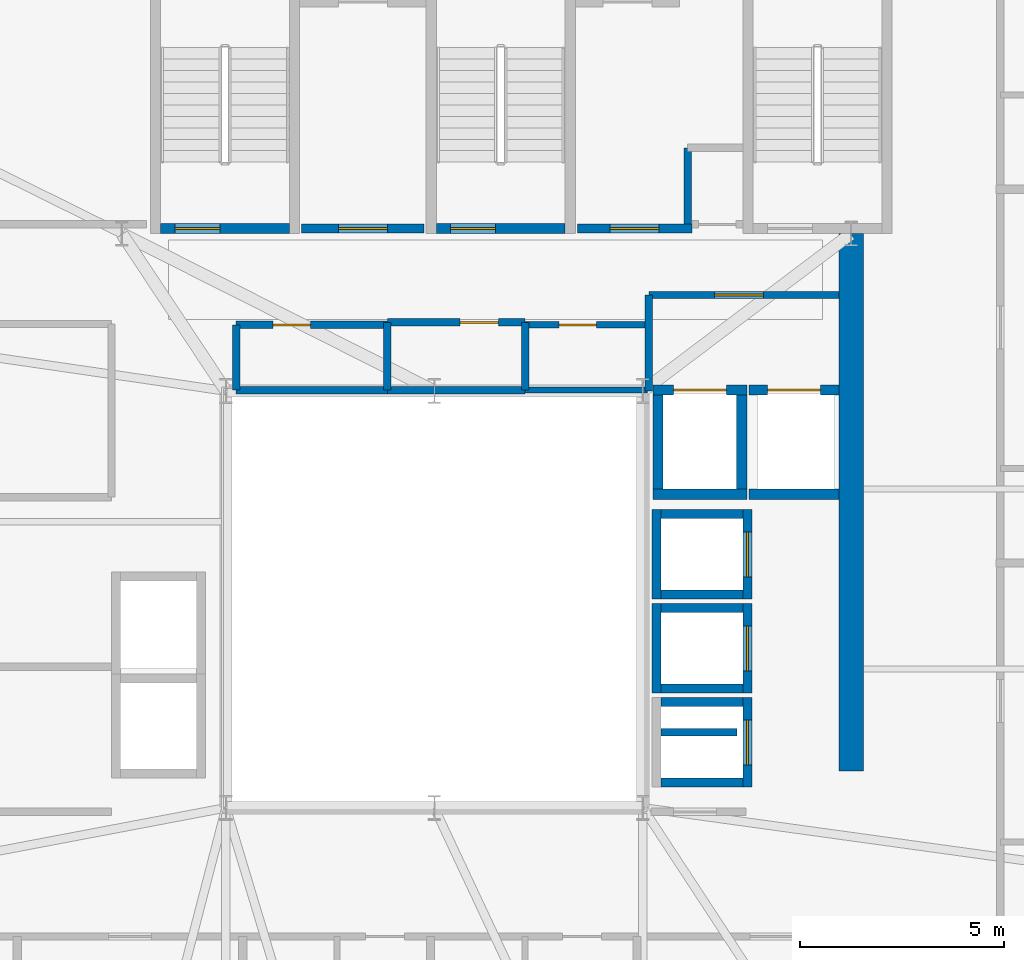
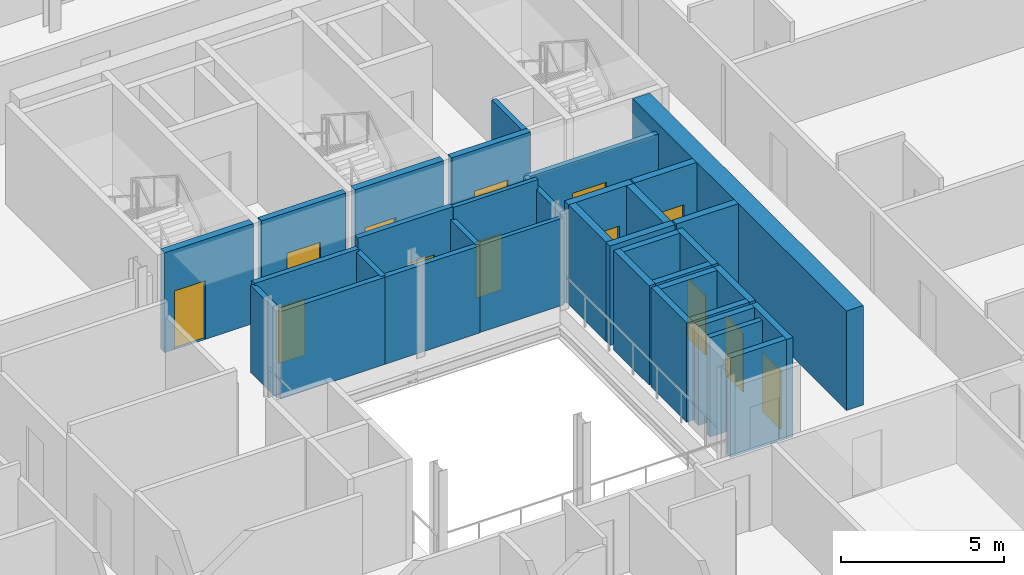
# One storey, part 9 of 15: 35 walls, 13 doors, 13 openings.
"""IFC4 building model written with IfcOpenShell, lengths in metres."""

from ifc_helpers import new_model, si_unit, direction, frame, frame_2d, origin, place, context, subcontext, project, spatial, rectangle, extrude, source, transform, mapped, material, layer, layer_set, type_object, element, fill, save


model = new_model("IFC4")

# Units and contexts
model_context = context("Model", 3, precision=1e-05, world=origin(), true_north=direction((0.0, 1.0)))
body_context = subcontext(model_context, "Body", "Model", "MODEL_VIEW")
ifc_project = project(units=[si_unit("LENGTHUNIT", "METRE"), si_unit("AREAUNIT", "SQUARE_METRE"), si_unit("VOLUMEUNIT", "CUBIC_METRE"), si_unit("PLANEANGLEUNIT", "RADIAN"), si_unit("MASSUNIT", "GRAM", prefix="KILO")], contexts=[model_context])

# Site, building, storey
site_placement = place(None, origin())
site = spatial("IfcSite", under=ifc_project, at=site_placement, CompositionType="ELEMENT")
building_placement = place(site_placement, origin())
building = spatial("IfcBuilding", under=site, at=building_placement, Name="Vardaveli Station Tower", CompositionType="ELEMENT")
storey_placement = place(building_placement, frame((0.0, 0.0, 242.699951171875)))
storey = spatial("IfcBuildingStorey", under=building, at=storey_placement, Name="L62", CompositionType="ELEMENT", Elevation=242.699951171875)

# Wall
ifc_material_1 = material(Name="Concrete C50/60", Category="concrete")
ifc_layer_1 = layer(ifc_material_1, 0.60009765625, Name="Concrete C50/60")
ifc_layer_set_1 = layer_set([ifc_layer_1], Name="Concrete C50/60")
wall_type_1 = type_object("IfcWallType", Name="WAL-CORE-600", PredefinedType="SHEAR", material=ifc_layer_set_1)
shared_shape_1 = source(origin(), body_context, "Body", "SweptSolid", [
    extrude(rectangle(XDim=13.14990234375, YDim=0.60009765625, at=frame_2d((6.574951171875, 0.0))), origin(), (0.0, 0.0, 1.0), 3.72998046875),
])
wall_1_placement = place(storey_placement, frame((46.5, 17.5, 0.0), z_axis=(0.0, 0.0, 1.0), x_axis=(0.0, 1.0, 0.0)))
element("IfcWall", 1, at=wall_1_placement, inside=storey, type_object=wall_type_1, Name="SW-L62-EAST2", PredefinedType="SHEAR", context=body_context, shape_type="MappedRepresentation", body=[
    mapped(shared_shape_1, transform((0.0, 0.0, 0.0), scale=1.0)),
])

# Wall, opening, door
ifc_material_2 = material(Name="Concrete C40/50", Category="concrete")
ifc_layer_2 = layer(ifc_material_2, 0.25, Name="Concrete C40/50")
ifc_layer_set_2 = layer_set([ifc_layer_2], Name="Concrete C40/50")
wall_type_2 = type_object("IfcWallType", Name="WAL-SHAFT-250", PredefinedType="SOLIDWALL", material=ifc_layer_set_2)
shared_shape_2 = source(origin(), body_context, "Body", "SweptSolid", [
    extrude(rectangle(XDim=3.14990234375, YDim=0.25, at=frame_2d((1.574951171875, 0.0))), origin(), (0.0, 0.0, 1.0), 3.75),
])
wall_2_placement = place(storey_placement, frame((29.60009765625, 30.77490234375, 0.0), z_axis=(0.0, 0.0, 1.0), x_axis=(1.0, 0.0, 0.0)))
wall_2 = element("IfcWall", 2, at=wall_2_placement, inside=storey, type_object=wall_type_2, Name="W-L62-ST-1S", PredefinedType="SOLIDWALL", context=body_context, shape_type="MappedRepresentation", body=[
    mapped(shared_shape_2, transform((0.0, 0.0, 0.0), scale=1.0)),
])
shared_shape_3 = source(origin(), body_context, "Body", "SweptSolid", [
    extrude(rectangle(XDim=1.10009765625, YDim=2.199951171875, at=frame_2d((0.550048828125, 1.10009765625))), frame((0.0, 0.135009765625, 0.0), z_axis=(0.0, -1.0, 0.0), x_axis=(1.0, 0.0, 0.0)), (0.0, 0.0, 1.0), 0.27001953125),
])
opening_1_placement = place(wall_2_placement, frame((0.35009765625, 0.0, 0.0)))
opening_1 = element("IfcOpeningElement", 3, at=opening_1_placement, cuts=wall_2, Name="Opening D-04", PredefinedType="OPENING", context=body_context, shape_type="MappedRepresentation", body=[
    mapped(shared_shape_3, transform((0.0, 0.0, 0.0), scale=1.0)),
])
ifc_material_3 = material(Name="Steel smokeproof fire doorset", Category="steel")
door_type_1 = type_object("IfcDoorType", Name="DR-ST-1100x2200", OperationType="NOTDEFINED", PredefinedType="DOOR", material=ifc_material_3)
shared_shape_4 = source(origin(), body_context, "Body", "SweptSolid", [
    extrude(rectangle(XDim=1.10009765625, YDim=2.199951171875, at=frame_2d((0.550048828125, 1.10009765625))), frame((0.0, 0.02490234375, 0.0), z_axis=(0.0, -1.0, 0.0), x_axis=(1.0, 0.0, 0.0)), (0.0, 0.0, 1.0), 0.050048828125),
])
door_1_placement = place(opening_1_placement, origin())
door_1 = element("IfcDoor", 4, at=door_1_placement, inside=storey, type_object=door_type_1, Name="DST-1-L62", OperationType="SINGLE_SWING_LEFT", OverallHeight=2.199951171875, OverallWidth=1.10009765625, PredefinedType="DOOR", context=body_context, shape_type="MappedRepresentation", body=[
    mapped(shared_shape_4, transform((0.0, 0.0, 0.0), scale=1.0)),
])
fill(opening_1, door_1)

wall_3_placement = place(storey_placement, frame((36.35009765625, 30.77490234375, 0.0), z_axis=(0.0, 0.0, 1.0), x_axis=(1.0, 0.0, 0.0)))
wall_3 = element("IfcWall", 5, at=wall_3_placement, inside=storey, type_object=wall_type_2, Name="W-L62-ST-2S", PredefinedType="SOLIDWALL", context=body_context, shape_type="MappedRepresentation", body=[
    mapped(shared_shape_2, transform((0.0, 0.0, 0.0), scale=1.0)),
])
opening_2_placement = place(wall_3_placement, frame((0.35009765625, 0.0, 0.0)))
opening_2 = element("IfcOpeningElement", 6, at=opening_2_placement, cuts=wall_3, Name="Opening D-04", PredefinedType="OPENING", context=body_context, shape_type="MappedRepresentation", body=[
    mapped(shared_shape_3, transform((0.0, 0.0, 0.0), scale=1.0)),
])
door_2_placement = place(opening_2_placement, origin())
door_2 = element("IfcDoor", 7, at=door_2_placement, inside=storey, type_object=door_type_1, Name="DST-2-L62", OperationType="SINGLE_SWING_LEFT", OverallHeight=2.199951171875, OverallWidth=1.10009765625, PredefinedType="DOOR", context=body_context, shape_type="MappedRepresentation", body=[
    mapped(shared_shape_4, transform((0.0, 0.0, 0.0), scale=1.0)),
])
fill(opening_2, door_2)

ifc_layer_3 = layer(ifc_material_2, 0.219970703125, Name="Concrete C40/50")
ifc_layer_set_3 = layer_set([ifc_layer_3], Name="Concrete C40/50")
wall_type_3 = type_object("IfcWallType", Name="WAL-FFLOBBY-220", PredefinedType="SOLIDWALL", material=ifc_layer_set_3)
shared_shape_5 = source(origin(), body_context, "Body", "SweptSolid", [
    extrude(rectangle(XDim=3.0, YDim=0.219970703125, at=frame_2d((1.5, 0.0))), origin(), (0.0, 0.0, 1.0), 3.72998046875),
])
wall_4_placement = place(storey_placement, frame((33.050048828125, 30.780029296875, 0.0), z_axis=(0.0, 0.0, 1.0), x_axis=(1.0, 0.0, 0.0)))
wall_4 = element("IfcWall", 8, at=wall_4_placement, inside=storey, type_object=wall_type_3, Name="W-L62-FFL1S", PredefinedType="SOLIDWALL", context=body_context, shape_type="MappedRepresentation", body=[
    mapped(shared_shape_5, transform((0.0, 0.0, 0.0), scale=1.0)),
])
shared_shape_6 = source(origin(), body_context, "Body", "SweptSolid", [
    extrude(rectangle(XDim=1.199951171875, YDim=2.199951171875, at=frame_2d((0.60009765625, 1.10009765625))), frame((0.0, 0.1201171875, 0.0), z_axis=(0.0, -1.0, 0.0), x_axis=(1.0, 0.0, 0.0)), (0.0, 0.0, 1.0), 0.239990234375),
])
opening_3_placement = place(wall_4_placement, frame((0.89990234375, 0.0, 0.0)))
opening_3 = element("IfcOpeningElement", 9, at=opening_3_placement, cuts=wall_4, Name="Opening D-03", PredefinedType="OPENING", context=body_context, shape_type="MappedRepresentation", body=[
    mapped(shared_shape_6, transform((0.0, 0.0, 0.0), scale=1.0)),
])
door_type_2 = type_object("IfcDoorType", Name="DR-FFL-1200x2200", OperationType="NOTDEFINED", PredefinedType="DOOR", material=ifc_material_3)
shared_shape_7 = source(origin(), body_context, "Body", "SweptSolid", [
    extrude(rectangle(XDim=1.199951171875, YDim=2.199951171875, at=frame_2d((0.60009765625, 1.10009765625))), frame((0.0, 0.02490234375, 0.0), z_axis=(0.0, -1.0, 0.0), x_axis=(1.0, 0.0, 0.0)), (0.0, 0.0, 1.0), 0.050048828125),
])
door_3_placement = place(opening_3_placement, origin())
door_3 = element("IfcDoor", 10, at=door_3_placement, inside=storey, type_object=door_type_2, Name="DFFL1-L62", OperationType="SINGLE_SWING_LEFT", OverallHeight=2.199951171875, OverallWidth=1.199951171875, PredefinedType="DOOR", context=body_context, shape_type="MappedRepresentation", body=[
    mapped(shared_shape_7, transform((0.0, 0.0, 0.0), scale=1.0)),
])
fill(opening_3, door_3)

shared_shape_8 = source(origin(), body_context, "Body", "SweptSolid", [
    extrude(rectangle(XDim=2.800048828125, YDim=0.219970703125, at=frame_2d((1.39990234375, 0.0))), origin(), (0.0, 0.0, 1.0), 3.72998046875),
])
wall_5_placement = place(storey_placement, frame((39.800048828125, 30.780029296875, 0.0), z_axis=(0.0, 0.0, 1.0), x_axis=(1.0, 0.0, 0.0)))
wall_5 = element("IfcWall", 11, at=wall_5_placement, inside=storey, type_object=wall_type_3, Name="W-L62-FFL2S", PredefinedType="SOLIDWALL", context=body_context, shape_type="MappedRepresentation", body=[
    mapped(shared_shape_8, transform((0.0, 0.0, 0.0), scale=1.0)),
])
opening_4_placement = place(wall_5_placement, frame((0.800048828125, 0.0, 0.0)))
opening_4 = element("IfcOpeningElement", 12, at=opening_4_placement, cuts=wall_5, Name="Opening D-03", PredefinedType="OPENING", context=body_context, shape_type="MappedRepresentation", body=[
    mapped(shared_shape_6, transform((0.0, 0.0, 0.0), scale=1.0)),
])
door_4_placement = place(opening_4_placement, origin())
door_4 = element("IfcDoor", 13, at=door_4_placement, inside=storey, type_object=door_type_2, Name="DFFL2-L62", OperationType="SINGLE_SWING_RIGHT", OverallHeight=2.199951171875, OverallWidth=1.199951171875, PredefinedType="DOOR", context=body_context, shape_type="MappedRepresentation", body=[
    mapped(shared_shape_7, transform((0.0, 0.0, 0.0), scale=1.0)),
])
fill(opening_4, door_4)

# Walls
shared_shape_9 = source(origin(), body_context, "Body", "SweptSolid", [
    extrude(rectangle(XDim=2.0, YDim=0.219970703125, at=frame_2d((1.0, 0.0))), origin(), (0.0, 0.0, 1.0), 3.72998046875),
])
for number, where, z_axis, x_axis, name in (
    (14, (41.85009765625, 21.81494140625, 0.0), (0.0, 0.0, 1.0), (1.0, 0.0, 0.0), "SHW-HL3-01-L62-S"),
    (15, (41.85009765625, 23.784912109375, 0.0), (0.0, 0.0, 1.0), (1.0, 0.0, 0.0), "SHW-HL3-01-L62-N"),
    (16, (41.85009765625, 19.514892578125, 0.0), (0.0, 0.0, 1.0), (1.0, 0.0, 0.0), "SHW-HL3-02-L62-S"),
    (17, (41.85009765625, 21.485107421875, 0.0), (0.0, 0.0, 1.0), (1.0, 0.0, 0.0), "SHW-HL3-02-L62-N"),
    (18, (41.85009765625, 17.215087890625, 0.0), (0.0, 0.0, 1.0), (1.0, 0.0, 0.0), "SHW-HL3-03-L62-S"),
    (19, (41.85009765625, 19.18505859375, 0.0), (0.0, 0.0, 1.0), (1.0, 0.0, 0.0), "SHW-HL3-03-L62-N"),
):
    element("IfcWall", number, at=place(storey_placement, frame(where, z_axis=z_axis, x_axis=x_axis)), inside=storey, type_object=wall_type_3, Name=name, PredefinedType="SOLIDWALL", context=body_context, shape_type="MappedRepresentation", body=[
        mapped(shared_shape_9, transform((0.0, 0.0, 0.0), scale=1.0)),
    ])
shared_shape_10 = source(origin(), body_context, "Body", "SweptSolid", [
    extrude(rectangle(XDim=2.18994140625, YDim=0.219970703125, at=frame_2d((1.094970703125, 0.0))), origin(), (0.0, 0.0, 1.0), 3.72998046875),
])
wall_6_placement = place(storey_placement, frame((41.739990234375, 21.705078125, 0.0), z_axis=(0.0, 0.0, 1.0), x_axis=(0.0, 1.0, 0.0)))
element("IfcWall", 20, at=wall_6_placement, inside=storey, type_object=wall_type_3, Name="SHW-HL3-01-L62-W", PredefinedType="SOLIDWALL", context=body_context, shape_type="MappedRepresentation", body=[
    mapped(shared_shape_10, transform((0.0, 0.0, 0.0), scale=1.0)),
])

# Wall, opening, door
wall_7_placement = place(storey_placement, frame((43.9599609375, 21.705078125, 0.0), z_axis=(0.0, 0.0, 1.0), x_axis=(0.0, 1.0, 0.0)))
wall_7 = element("IfcWall", 21, at=wall_7_placement, inside=storey, type_object=wall_type_3, Name="SHW-HL3-01-L62-E", PredefinedType="SOLIDWALL", context=body_context, shape_type="MappedRepresentation", body=[
    mapped(shared_shape_10, transform((0.0, 0.0, 0.0), scale=1.0)),
])
shared_shape_11 = source(origin(), body_context, "Body", "SweptSolid", [
    extrude(rectangle(XDim=1.10009765625, YDim=2.199951171875, at=frame_2d((0.550048828125, 1.10009765625))), frame((0.0, 0.1201171875, 0.0), z_axis=(0.0, -1.0, 0.0), x_axis=(1.0, 0.0, 0.0)), (0.0, 0.0, 1.0), 0.239990234375),
])
opening_5_placement = place(wall_7_placement, frame((0.544921875, 0.0, 0.0)))
opening_5 = element("IfcOpeningElement", 22, at=opening_5_placement, cuts=wall_7, Name="Opening LD-01", PredefinedType="OPENING", context=body_context, shape_type="MappedRepresentation", body=[
    mapped(shared_shape_11, transform((0.0, 0.0, 0.0), scale=1.0)),
])
ifc_material_4 = material(Name="Brushed stainless steel", Category="steel")
door_type_3 = type_object("IfcDoorType", Name="DR-LD-1100x2200", OperationType="DOUBLE_DOOR_SLIDING", PredefinedType="DOOR", material=ifc_material_4)
door_5_placement = place(opening_5_placement, origin())
door_5 = element("IfcDoor", 23, at=door_5_placement, inside=storey, type_object=door_type_3, Name="LD-HL3-01-L62", OperationType="DOUBLE_DOOR_SLIDING", OverallHeight=2.199951171875, OverallWidth=1.10009765625, PredefinedType="DOOR", context=body_context, shape_type="MappedRepresentation", body=[
    mapped(shared_shape_4, transform((0.0, 0.0, 0.0), scale=1.0)),
])
fill(opening_5, door_5)

# Wall
wall_8_placement = place(storey_placement, frame((41.739990234375, 19.405029296875, 0.0), z_axis=(0.0, 0.0, 1.0), x_axis=(0.0, 1.0, 0.0)))
element("IfcWall", 24, at=wall_8_placement, inside=storey, type_object=wall_type_3, Name="SHW-HL3-02-L62-W", PredefinedType="SOLIDWALL", context=body_context, shape_type="MappedRepresentation", body=[
    mapped(shared_shape_10, transform((0.0, 0.0, 0.0), scale=1.0)),
])

# Wall, opening, door
wall_9_placement = place(storey_placement, frame((43.9599609375, 19.405029296875, 0.0), z_axis=(0.0, 0.0, 1.0), x_axis=(0.0, 1.0, 0.0)))
wall_9 = element("IfcWall", 25, at=wall_9_placement, inside=storey, type_object=wall_type_3, Name="SHW-HL3-02-L62-E", PredefinedType="SOLIDWALL", context=body_context, shape_type="MappedRepresentation", body=[
    mapped(shared_shape_10, transform((0.0, 0.0, 0.0), scale=1.0)),
])
opening_6_placement = place(wall_9_placement, frame((0.544921875, 0.0, 0.0)))
opening_6 = element("IfcOpeningElement", 26, at=opening_6_placement, cuts=wall_9, Name="Opening LD-01", PredefinedType="OPENING", context=body_context, shape_type="MappedRepresentation", body=[
    mapped(shared_shape_11, transform((0.0, 0.0, 0.0), scale=1.0)),
])
door_6_placement = place(opening_6_placement, origin())
door_6 = element("IfcDoor", 27, at=door_6_placement, inside=storey, type_object=door_type_3, Name="LD-HL3-02-L62", OperationType="DOUBLE_DOOR_SLIDING", OverallHeight=2.199951171875, OverallWidth=1.10009765625, PredefinedType="DOOR", context=body_context, shape_type="MappedRepresentation", body=[
    mapped(shared_shape_4, transform((0.0, 0.0, 0.0), scale=1.0)),
])
fill(opening_6, door_6)

wall_10_placement = place(storey_placement, frame((43.9599609375, 17.10498046875, 0.0), z_axis=(0.0, 0.0, 1.0), x_axis=(0.0, 1.0, 0.0)))
wall_10 = element("IfcWall", 28, at=wall_10_placement, inside=storey, type_object=wall_type_3, Name="SHW-HL3-03-L62-E", PredefinedType="SOLIDWALL", context=body_context, shape_type="MappedRepresentation", body=[
    mapped(shared_shape_10, transform((0.0, 0.0, 0.0), scale=1.0)),
])
opening_7_placement = place(wall_10_placement, frame((0.544921875, 0.0, 0.0)))
opening_7 = element("IfcOpeningElement", 29, at=opening_7_placement, cuts=wall_10, Name="Opening LD-01", PredefinedType="OPENING", context=body_context, shape_type="MappedRepresentation", body=[
    mapped(shared_shape_11, transform((0.0, 0.0, 0.0), scale=1.0)),
])
door_7_placement = place(opening_7_placement, origin())
door_7 = element("IfcDoor", 30, at=door_7_placement, inside=storey, type_object=door_type_3, Name="LD-HL3-03-L62", OperationType="DOUBLE_DOOR_SLIDING", OverallHeight=2.199951171875, OverallWidth=1.10009765625, PredefinedType="DOOR", context=body_context, shape_type="MappedRepresentation", body=[
    mapped(shared_shape_4, transform((0.0, 0.0, 0.0), scale=1.0)),
])
fill(opening_7, door_7)

# Wall
shared_shape_12 = source(origin(), body_context, "Body", "SweptSolid", [
    extrude(rectangle(XDim=2.300048828125, YDim=0.25, at=frame_2d((1.14990234375, 0.0))), origin(), (0.0, 0.0, 1.0), 3.72998046875),
])
wall_11_placement = place(storey_placement, frame((41.64990234375, 24.27490234375, 0.0), z_axis=(0.0, 0.0, 1.0), x_axis=(1.0, 0.0, 0.0)))
element("IfcWall", 31, at=wall_11_placement, inside=storey, type_object=wall_type_2, Name="SHW-SRV-01-L62-S", PredefinedType="SOLIDWALL", context=body_context, shape_type="MappedRepresentation", body=[
    mapped(shared_shape_12, transform((0.0, 0.0, 0.0), scale=1.0)),
])

# Wall, opening, door
wall_12_placement = place(storey_placement, frame((41.64990234375, 26.824951171875, 0.0), z_axis=(0.0, 0.0, 1.0), x_axis=(1.0, 0.0, 0.0)))
wall_12 = element("IfcWall", 32, at=wall_12_placement, inside=storey, type_object=wall_type_2, Name="SHW-SRV-01-L62-N", PredefinedType="SOLIDWALL", context=body_context, shape_type="MappedRepresentation", body=[
    mapped(shared_shape_12, transform((0.0, 0.0, 0.0), scale=1.0)),
])
shared_shape_13 = source(origin(), body_context, "Body", "SweptSolid", [
    extrude(rectangle(XDim=1.300048828125, YDim=2.300048828125, at=frame_2d((0.64990234375, 1.14990234375))), frame((0.0, 0.135009765625, 0.0), z_axis=(0.0, -1.0, 0.0), x_axis=(1.0, 0.0, 0.0)), (0.0, 0.0, 1.0), 0.27001953125),
])
opening_8_placement = place(wall_12_placement, frame((0.5, 0.0, 0.0)))
opening_8 = element("IfcOpeningElement", 33, at=opening_8_placement, cuts=wall_12, Name="Opening LD-03", PredefinedType="OPENING", context=body_context, shape_type="MappedRepresentation", body=[
    mapped(shared_shape_13, transform((0.0, 0.0, 0.0), scale=1.0)),
])
door_type_4 = type_object("IfcDoorType", Name="DR-LD-1300x2300", OperationType="DOUBLE_DOOR_SLIDING", PredefinedType="DOOR", material=ifc_material_4)
shared_shape_14 = source(origin(), body_context, "Body", "SweptSolid", [
    extrude(rectangle(XDim=1.300048828125, YDim=2.300048828125, at=frame_2d((0.64990234375, 1.14990234375))), frame((0.0, 0.02490234375, 0.0), z_axis=(0.0, -1.0, 0.0), x_axis=(1.0, 0.0, 0.0)), (0.0, 0.0, 1.0), 0.050048828125),
])
door_8_placement = place(opening_8_placement, origin())
door_8 = element("IfcDoor", 34, at=door_8_placement, inside=storey, type_object=door_type_4, Name="LD-SRV-01-L62", OperationType="DOUBLE_DOOR_SLIDING", OverallHeight=2.300048828125, OverallWidth=1.300048828125, PredefinedType="DOOR", context=body_context, shape_type="MappedRepresentation", body=[
    mapped(shared_shape_14, transform((0.0, 0.0, 0.0), scale=1.0)),
])
fill(opening_8, door_8)

# Walls
for number, where, z_axis, x_axis, name in (
    (35, (41.77490234375, 24.39990234375, 0.0), (0.0, 0.0, 1.0), (0.0, 1.0, 0.0), "SHW-SRV-01-L62-W"),
    (36, (43.824951171875, 24.39990234375, 0.0), (0.0, 0.0, 1.0), (0.0, 1.0, 0.0), "SHW-SRV-01-L62-E"),
):
    element("IfcWall", number, at=place(storey_placement, frame(where, z_axis=z_axis, x_axis=x_axis)), inside=storey, type_object=wall_type_2, Name=name, PredefinedType="SOLIDWALL", context=body_context, shape_type="MappedRepresentation", body=[
        mapped(shared_shape_12, transform((0.0, 0.0, 0.0), scale=1.0)),
    ])
shared_shape_15 = source(origin(), body_context, "Body", "SweptSolid", [
    extrude(rectangle(XDim=2.199951171875, YDim=0.25, at=frame_2d((1.10009765625, 0.0))), origin(), (0.0, 0.0, 1.0), 3.72998046875),
])
wall_13_placement = place(storey_placement, frame((44.0, 24.27490234375, 0.0), z_axis=(0.0, 0.0, 1.0), x_axis=(1.0, 0.0, 0.0)))
element("IfcWall", 37, at=wall_13_placement, inside=storey, type_object=wall_type_2, Name="SHW-SRV-02-L62-S", PredefinedType="SOLIDWALL", context=body_context, shape_type="MappedRepresentation", body=[
    mapped(shared_shape_15, transform((0.0, 0.0, 0.0), scale=1.0)),
])

# Wall, opening, door
wall_14_placement = place(storey_placement, frame((44.0, 26.824951171875, 0.0), z_axis=(0.0, 0.0, 1.0), x_axis=(1.0, 0.0, 0.0)))
wall_14 = element("IfcWall", 38, at=wall_14_placement, inside=storey, type_object=wall_type_2, Name="SHW-SRV-02-L62-N", PredefinedType="SOLIDWALL", context=body_context, shape_type="MappedRepresentation", body=[
    mapped(shared_shape_15, transform((0.0, 0.0, 0.0), scale=1.0)),
])
opening_9_placement = place(wall_14_placement, frame((0.449951171875, 0.0, 0.0)))
opening_9 = element("IfcOpeningElement", 39, at=opening_9_placement, cuts=wall_14, Name="Opening LD-03", PredefinedType="OPENING", context=body_context, shape_type="MappedRepresentation", body=[
    mapped(shared_shape_13, transform((0.0, 0.0, 0.0), scale=1.0)),
])
door_9_placement = place(opening_9_placement, origin())
door_9 = element("IfcDoor", 40, at=door_9_placement, inside=storey, type_object=door_type_4, Name="LD-SRV-02-L62", OperationType="DOUBLE_DOOR_SLIDING", OverallHeight=2.300048828125, OverallWidth=1.300048828125, PredefinedType="DOOR", context=body_context, shape_type="MappedRepresentation", body=[
    mapped(shared_shape_14, transform((0.0, 0.0, 0.0), scale=1.0)),
])
fill(opening_9, door_9)

ifc_material_5 = material(Name="Fire-rated gypsum stud partition")
ifc_layer_4 = layer(ifc_material_5, 0.179931640625, Name="Fire-rated gypsum stud partition")
ifc_layer_set_4 = layer_set([ifc_layer_4], Name="Fire-rated gypsum stud partition")
wall_type_4 = type_object("IfcWallType", Name="WAL-CORR-180", PredefinedType="PARTITIONING", material=ifc_layer_set_4)
shared_shape_16 = source(origin(), body_context, "Body", "SweptSolid", [
    extrude(rectangle(XDim=4.64794921875, YDim=0.179931640625, at=frame_2d((2.323974609375, 0.0))), origin(), (0.0, 0.0, 1.0), 3.362060546875),
])
wall_15_placement = place(storey_placement, frame((41.550048828125, 29.14990234375, 0.0), z_axis=(0.0, 0.0, 1.0), x_axis=(1.0, 0.0, 0.0)))
wall_15 = element("IfcWall", 41, at=wall_15_placement, inside=storey, type_object=wall_type_4, Name="W-L62-SVFN", PredefinedType="PARTITIONING", context=body_context, shape_type="MappedRepresentation", body=[
    mapped(shared_shape_16, transform((0.0, 0.0, 0.0), scale=1.0)),
])
shared_shape_17 = source(origin(), body_context, "Body", "SweptSolid", [
    extrude(rectangle(XDim=1.199951171875, YDim=2.199951171875, at=frame_2d((0.60009765625, 1.10009765625))), frame((0.0, 0.10009765625, 0.0), z_axis=(0.0, -1.0, 0.0), x_axis=(1.0, 0.0, 0.0)), (0.0, 0.0, 1.0), 0.199951171875),
])
opening_10_placement = place(wall_15_placement, frame((1.60009765625, 0.0, 0.0)))
opening_10 = element("IfcOpeningElement", 42, at=opening_10_placement, cuts=wall_15, Name="Opening D-03", PredefinedType="OPENING", context=body_context, shape_type="MappedRepresentation", body=[
    mapped(shared_shape_17, transform((0.0, 0.0, 0.0), scale=1.0)),
])
door_10_placement = place(opening_10_placement, origin())
door_10 = element("IfcDoor", 43, at=door_10_placement, inside=storey, type_object=door_type_2, Name="D-L62-SVF", OperationType="SINGLE_SWING_LEFT", OverallHeight=2.199951171875, OverallWidth=1.199951171875, PredefinedType="DOOR", context=body_context, shape_type="MappedRepresentation", body=[
    mapped(shared_shape_7, transform((0.0, 0.0, 0.0), scale=1.0)),
])
fill(opening_10, door_10)

shared_shape_18 = source(origin(), body_context, "Body", "SweptSolid", [
    extrude(rectangle(XDim=3.699951171875, YDim=0.179931640625, at=frame_2d((1.85009765625, 0.0))), origin(), (0.0, 0.0, 1.0), 3.362060546875),
])
wall_16_placement = place(storey_placement, frame((31.449951171875, 28.419921875, 0.0), z_axis=(0.0, 0.0, 1.0), x_axis=(1.0, 0.0, 0.0)))
wall_16 = element("IfcWall", 44, at=wall_16_placement, inside=storey, type_object=wall_type_4, Name="W-L62-CS2A-N", PredefinedType="PARTITIONING", context=body_context, shape_type="MappedRepresentation", body=[
    mapped(shared_shape_18, transform((0.0, 0.0, 0.0), scale=1.0)),
])
shared_shape_19 = source(origin(), body_context, "Body", "SweptSolid", [
    extrude(rectangle(XDim=0.919921875, YDim=2.10009765625, at=frame_2d((0.4599609375, 1.050048828125))), frame((0.0, 0.10009765625, 0.0), z_axis=(0.0, -1.0, 0.0), x_axis=(1.0, 0.0, 0.0)), (0.0, 0.0, 1.0), 0.199951171875),
])
opening_11_placement = place(wall_16_placement, frame((0.89990234375, 0.0, 0.0)))
opening_11 = element("IfcOpeningElement", 45, at=opening_11_placement, cuts=wall_16, Name="Opening D-07", PredefinedType="OPENING", context=body_context, shape_type="MappedRepresentation", body=[
    mapped(shared_shape_19, transform((0.0, 0.0, 0.0), scale=1.0)),
])
ifc_material_6 = material(Name="Moisture-resistant hardwood door", Category="wood")
door_type_5 = type_object("IfcDoorType", Name="DR-WC-920x2100", OperationType="NOTDEFINED", PredefinedType="DOOR", material=ifc_material_6)
shared_shape_20 = source(origin(), body_context, "Body", "SweptSolid", [
    extrude(rectangle(XDim=0.919921875, YDim=2.10009765625, at=frame_2d((0.4599609375, 1.050048828125))), frame((0.0, 0.02490234375, 0.0), z_axis=(0.0, -1.0, 0.0), x_axis=(1.0, 0.0, 0.0)), (0.0, 0.0, 1.0), 0.050048828125),
])
door_11_placement = place(opening_11_placement, origin())
door_11 = element("IfcDoor", 46, at=door_11_placement, inside=storey, type_object=door_type_5, Name="D-L62-CS2A", OperationType="SINGLE_SWING_RIGHT", OverallHeight=2.10009765625, OverallWidth=0.919921875, PredefinedType="DOOR", context=body_context, shape_type="MappedRepresentation", body=[
    mapped(shared_shape_20, transform((0.0, 0.0, 0.0), scale=1.0)),
])
fill(opening_11, door_11)

shared_shape_21 = source(origin(), body_context, "Body", "SweptSolid", [
    extrude(rectangle(XDim=3.3701171875, YDim=0.179931640625, at=frame_2d((1.68505859375, 0.0))), origin(), (0.0, 0.0, 1.0), 3.72998046875),
])
wall_17_placement = place(storey_placement, frame((35.14990234375, 28.47998046875, 0.0), z_axis=(0.0, 0.0, 1.0), x_axis=(1.0, 0.0, 0.0)))
wall_17 = element("IfcWall", 47, at=wall_17_placement, inside=storey, type_object=wall_type_4, Name="W-L62-HKP2-N", PredefinedType="PARTITIONING", context=body_context, shape_type="MappedRepresentation", body=[
    mapped(shared_shape_21, transform((0.0, 0.0, 0.0), scale=1.0)),
])
shared_shape_22 = source(origin(), body_context, "Body", "SweptSolid", [
    extrude(rectangle(XDim=0.949951171875, YDim=2.14990234375, at=frame_2d((0.47509765625, 1.074951171875))), frame((0.0, 0.10009765625, 0.0), z_axis=(0.0, -1.0, 0.0), x_axis=(1.0, 0.0, 0.0)), (0.0, 0.0, 1.0), 0.199951171875),
])
opening_12_placement = place(wall_17_placement, frame((1.77490234375, 0.0, 0.0)))
opening_12 = element("IfcOpeningElement", 48, at=opening_12_placement, cuts=wall_17, Name="Opening D-06", PredefinedType="OPENING", context=body_context, shape_type="MappedRepresentation", body=[
    mapped(shared_shape_22, transform((0.0, 0.0, 0.0), scale=1.0)),
])
ifc_material_7 = material(Name="Oak veneer acoustic fire door")
door_type_6 = type_object("IfcDoorType", Name="DR-GUEST-950x2150", OperationType="NOTDEFINED", PredefinedType="DOOR", material=ifc_material_7)
shared_shape_23 = source(origin(), body_context, "Body", "SweptSolid", [
    extrude(rectangle(XDim=0.949951171875, YDim=2.14990234375, at=frame_2d((0.47509765625, 1.074951171875))), frame((0.0, 0.02490234375, 0.0), z_axis=(0.0, -1.0, 0.0), x_axis=(1.0, 0.0, 0.0)), (0.0, 0.0, 1.0), 0.050048828125),
])
door_12_placement = place(opening_12_placement, origin())
door_12 = element("IfcDoor", 49, at=door_12_placement, inside=storey, type_object=door_type_6, Name="D-L62-HKP", OperationType="SINGLE_SWING_LEFT", OverallHeight=2.14990234375, OverallWidth=0.949951171875, PredefinedType="DOOR", context=body_context, shape_type="MappedRepresentation", body=[
    mapped(shared_shape_23, transform((0.0, 0.0, 0.0), scale=1.0)),
])
fill(opening_12, door_12)

ifc_material_8 = material(Name="Moisture-resistant stud partition")
ifc_layer_5 = layer(ifc_material_8, 0.14990234375, Name="Moisture-resistant stud partition")
ifc_layer_set_5 = layer_set([ifc_layer_5], Name="Moisture-resistant stud partition")
wall_type_5 = type_object("IfcWallType", Name="WAL-WET-150", PredefinedType="PARTITIONING", material=ifc_layer_set_5)
shared_shape_24 = source(origin(), body_context, "Body", "SweptSolid", [
    extrude(rectangle(XDim=3.0, YDim=0.14990234375, at=frame_2d((1.5, 0.0))), origin(), (0.0, 0.0, 1.0), 3.72998046875),
])
wall_18_placement = place(storey_placement, frame((38.52001953125, 28.419921875, 0.0), z_axis=(0.0, 0.0, 1.0), x_axis=(1.0, 0.0, 0.0)))
wall_18 = element("IfcWall", 50, at=wall_18_placement, inside=storey, type_object=wall_type_5, Name="W-L62-WCA2-N", PredefinedType="PARTITIONING", context=body_context, shape_type="MappedRepresentation", body=[
    mapped(shared_shape_24, transform((0.0, 0.0, 0.0), scale=1.0)),
])
shared_shape_25 = source(origin(), body_context, "Body", "SweptSolid", [
    extrude(rectangle(XDim=0.919921875, YDim=2.10009765625, at=frame_2d((0.4599609375, 1.050048828125))), frame((0.0, 0.0849609375, 0.0), z_axis=(0.0, -1.0, 0.0), x_axis=(1.0, 0.0, 0.0)), (0.0, 0.0, 1.0), 0.169921875),
])
opening_13_placement = place(wall_18_placement, frame((0.830078125, 0.0, 0.0)))
opening_13 = element("IfcOpeningElement", 51, at=opening_13_placement, cuts=wall_18, Name="Opening D-07", PredefinedType="OPENING", context=body_context, shape_type="MappedRepresentation", body=[
    mapped(shared_shape_25, transform((0.0, 0.0, 0.0), scale=1.0)),
])
door_13_placement = place(opening_13_placement, origin())
door_13 = element("IfcDoor", 52, at=door_13_placement, inside=storey, type_object=door_type_5, Name="D-L62-WCA", OperationType="SINGLE_SWING_RIGHT", OverallHeight=2.10009765625, OverallWidth=0.919921875, PredefinedType="DOOR", context=body_context, shape_type="MappedRepresentation", body=[
    mapped(shared_shape_20, transform((0.0, 0.0, 0.0), scale=1.0)),
])
fill(opening_13, door_13)

# Walls
shared_shape_26 = source(origin(), body_context, "Body", "SweptSolid", [
    extrude(rectangle(XDim=3.699951171875, YDim=0.179931640625, at=frame_2d((1.85009765625, 0.0))), origin(), (0.0, 0.0, 1.0), 3.27197265625),
])
wall_19_placement = place(storey_placement, frame((31.449951171875, 26.820068359375, 0.0), z_axis=(0.0, 0.0, 1.0), x_axis=(1.0, 0.0, 0.0)))
element("IfcWall", 53, at=wall_19_placement, inside=storey, type_object=wall_type_4, Name="W-L62-CS2A-S", PredefinedType="PARTITIONING", context=body_context, shape_type="MappedRepresentation", body=[
    mapped(shared_shape_26, transform((0.0, 0.0, 0.0), scale=1.0)),
])
shared_shape_27 = source(origin(), body_context, "Body", "SweptSolid", [
    extrude(rectangle(XDim=3.3701171875, YDim=0.179931640625, at=frame_2d((1.68505859375, 0.0))), origin(), (0.0, 0.0, 1.0), 3.27197265625),
])
wall_20_placement = place(storey_placement, frame((35.14990234375, 26.820068359375, 0.0), z_axis=(0.0, 0.0, 1.0), x_axis=(1.0, 0.0, 0.0)))
element("IfcWall", 54, at=wall_20_placement, inside=storey, type_object=wall_type_4, Name="W-L62-HKP2-S", PredefinedType="PARTITIONING", context=body_context, shape_type="MappedRepresentation", body=[
    mapped(shared_shape_27, transform((0.0, 0.0, 0.0), scale=1.0)),
])
shared_shape_28 = source(origin(), body_context, "Body", "SweptSolid", [
    extrude(rectangle(XDim=3.0, YDim=0.14990234375, at=frame_2d((1.5, 0.0))), origin(), (0.0, 0.0, 1.0), 3.27197265625),
])
wall_21_placement = place(storey_placement, frame((38.52001953125, 26.820068359375, 0.0), z_axis=(0.0, 0.0, 1.0), x_axis=(1.0, 0.0, 0.0)))
element("IfcWall", 55, at=wall_21_placement, inside=storey, type_object=wall_type_5, Name="W-L62-WCA2-S", PredefinedType="PARTITIONING", context=body_context, shape_type="MappedRepresentation", body=[
    mapped(shared_shape_28, transform((0.0, 0.0, 0.0), scale=1.0)),
])
shared_shape_29 = source(origin(), body_context, "Body", "SweptSolid", [
    extrude(rectangle(XDim=2.349853515625, YDim=0.179931640625, at=frame_2d((1.1748046875, 0.0))), origin(), (0.0, 0.0, 1.0), 3.362060546875),
])
wall_22_placement = place(storey_placement, frame((41.550048828125, 26.800048828125, 0.0), z_axis=(0.0, 0.0, 1.0), x_axis=(0.0, 1.0, 0.0)))
element("IfcWall", 56, at=wall_22_placement, inside=storey, type_object=wall_type_4, Name="W-L62-SVFW", PredefinedType="PARTITIONING", context=body_context, shape_type="MappedRepresentation", body=[
    mapped(shared_shape_29, transform((0.0, 0.0, 0.0), scale=1.0)),
])
shared_shape_30 = source(origin(), body_context, "Body", "SweptSolid", [
    extrude(rectangle(XDim=1.85791015625, YDim=0.179931640625, at=frame_2d((0.928955078125, 0.0))), origin(), (0.0, 0.0, 1.0), 3.72998046875),
])
for number, where, z_axis, x_axis, name in (
    (57, (41.85205078125, 18.449951171875, 0.0), (0.0, 0.0, 1.0), (1.0, 0.0, 0.0), "W-L62-ATE-N"),
    (58, (42.5, 30.89208984375, 0.0), (0.0, 0.0, 1.0), (0.0, 1.0, 0.0), "W-L62-CBS2A-W"),
):
    element("IfcWall", number, at=place(storey_placement, frame(where, z_axis=z_axis, x_axis=x_axis)), inside=storey, type_object=wall_type_4, Name=name, PredefinedType="PARTITIONING", context=body_context, shape_type="MappedRepresentation", body=[
        mapped(shared_shape_30, transform((0.0, 0.0, 0.0), scale=1.0)),
    ])
shared_shape_31 = source(origin(), body_context, "Body", "SweptSolid", [
    extrude(rectangle(XDim=1.659912109375, YDim=0.179931640625, at=frame_2d((0.830078125, 0.0))), origin(), (0.0, 0.0, 1.0), 3.27197265625),
])
for number, where, z_axis, x_axis, name in (
    (59, (35.14990234375, 26.820068359375, 0.0), (0.0, 0.0, 1.0), (0.0, 1.0, 0.0), "W-L62-HKP2-W"),
    (60, (38.52001953125, 26.820068359375, 0.0), (0.0, 0.0, 1.0), (0.0, 1.0, 0.0), "W-L62-HKP2-E"),
):
    element("IfcWall", number, at=place(storey_placement, frame(where, z_axis=z_axis, x_axis=x_axis)), inside=storey, type_object=wall_type_4, Name=name, PredefinedType="PARTITIONING", context=body_context, shape_type="MappedRepresentation", body=[
        mapped(shared_shape_31, transform((0.0, 0.0, 0.0), scale=1.0)),
    ])
shared_shape_32 = source(origin(), body_context, "Body", "SweptSolid", [
    extrude(rectangle(XDim=1.599853515625, YDim=0.179931640625, at=frame_2d((0.7998046875, 0.0))), origin(), (0.0, 0.0, 1.0), 3.27197265625),
])
wall_23_placement = place(storey_placement, frame((31.449951171875, 26.820068359375, 0.0), z_axis=(0.0, 0.0, 1.0), x_axis=(0.0, 1.0, 0.0)))
element("IfcWall", 61, at=wall_23_placement, inside=storey, type_object=wall_type_4, Name="W-L62-CS2A-W", PredefinedType="PARTITIONING", context=body_context, shape_type="MappedRepresentation", body=[
    mapped(shared_shape_32, transform((0.0, 0.0, 0.0), scale=1.0)),
])

save(model, "model.ifc")
